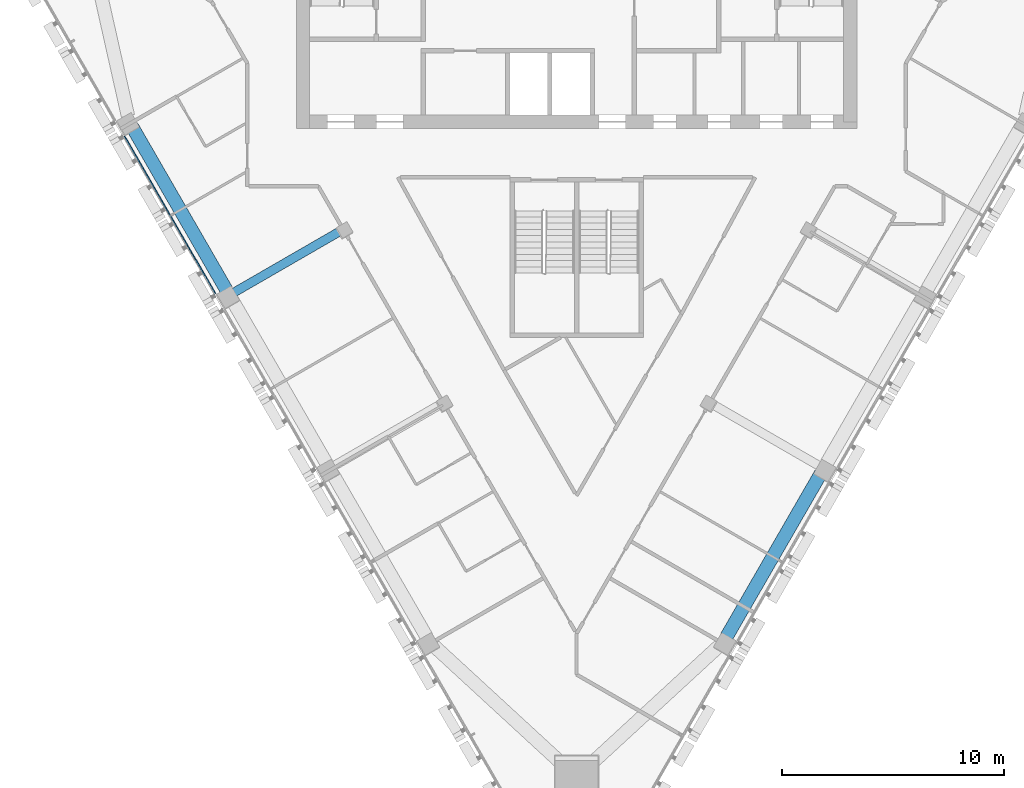
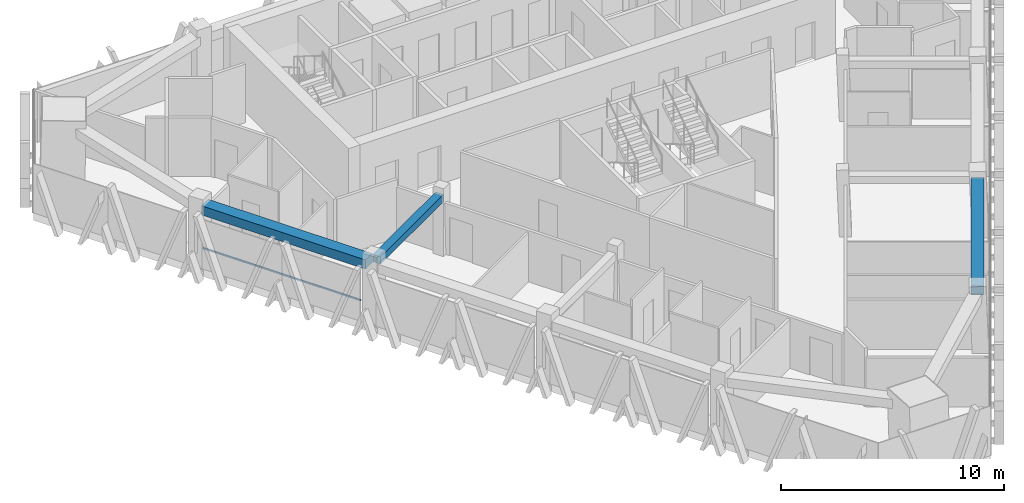
# One storey, part 3 of 14: 3 beams, 1 member, 1 element without a shape of its own.
"""IFC4 building model written with IfcOpenShell, lengths in metres."""

from ifc_helpers import new_model, si_unit, direction, frame, origin, origin_2d, place, context, subcontext, project, spatial, rectangle, extrude, material, layer, layer_set, material_profile, profile_set, type_object, element, aggregate, save


model = new_model("IFC4")

# Units and contexts
model_context = context("Model", 3, precision=1e-05, world=origin(), true_north=direction((0.0, 1.0)))
body_context = subcontext(model_context, "Body", "Model", "MODEL_VIEW")
ifc_project = project(units=[si_unit("LENGTHUNIT", "METRE"), si_unit("AREAUNIT", "SQUARE_METRE"), si_unit("VOLUMEUNIT", "CUBIC_METRE"), si_unit("PLANEANGLEUNIT", "RADIAN"), si_unit("MASSUNIT", "GRAM", prefix="KILO")], contexts=[model_context])

# Site, building, storey
site_placement = place(None, origin())
site = spatial("IfcSite", under=ifc_project, at=site_placement, CompositionType="ELEMENT")
building_placement = place(site_placement, origin())
building = spatial("IfcBuilding", under=site, at=building_placement, Name="Altiplano Prism Tower", CompositionType="ELEMENT")
storey_placement = place(building_placement, frame((0.0, 0.0, 223.0)))
storey = spatial("IfcBuildingStorey", under=building, at=storey_placement, Name="L57", CompositionType="ELEMENT", Elevation=223.0)

# Curtain wall, member
ifc_material_1 = material(Name="Aluminium and glass", Category="aluminium")
ifc_layer = layer(ifc_material_1, 0.280029296875)
ifc_layer_set = layer_set([ifc_layer], Name="Aluminium and glass")
curtain_wall_type = type_object("IfcCurtainWallType", Name="CW1 typical co-living unitised curtain wall", PredefinedType="NOTDEFINED", material=ifc_layer_set)
curtain_wall_placement = place(storey_placement, origin())
curtain_wall = element("IfcCurtainWall", 1, at=curtain_wall_placement, inside=storey, type_object=curtain_wall_type, Name="CW1 curtain wall south-west face L57", PredefinedType="NOTDEFINED")
ifc_material_2 = material(Name="Aluminium", Category="aluminium")
ifc_material_profile_1 = material_profile(ifc_material_2, rectangle(XDim=0.06005859375, YDim=0.080078125, at=origin_2d()), Name="CW1 transom 80 x 60")
ifc_profile_set_1 = profile_set([ifc_material_profile_1], Name="Aluminium")
member_type = type_object("IfcMemberType", Name="CW1 transom 80 x 60", PredefinedType="USERDEFINED", material=ifc_profile_set_1)
member_placement = place(storey_placement, frame((64.666748046875, 92.444091796875, 1.10009765625), z_axis=(0.500008722908, -0.866020367552, 0.0), x_axis=(0.866020367552, 0.500008722908, 0.0)))
member = element("IfcMember", 2, at=member_placement, type_object=member_type, Name="CW1 transom", ObjectType="TRANSOM", PredefinedType="USERDEFINED", context=body_context, shape_type="SweptSolid", body=[
    extrude(rectangle(XDim=0.06005859375, YDim=0.080078125, at=origin_2d()), origin(), (0.0, 0.0, 1.0), 8.169677734375),
])
aggregate(curtain_wall, [member])

# Beams
ifc_material_3 = material(Name="Concrete C60/75", Category="concrete")
ifc_material_profile_2 = material_profile(ifc_material_3, rectangle(XDim=0.60009765625, YDim=0.5, at=origin_2d()), Name="Edge beam 600x500")
ifc_profile_set_2 = profile_set([ifc_material_profile_2], Name="Concrete C60/75")
beam_type_1 = type_object("IfcBeamType", Name="Edge beam 600x500", PredefinedType="SPANDREL", material=ifc_profile_set_2)
for number, where, z_axis, x_axis, name in (
    (3, (65.015625, 92.877197265625, 2.949951171875), (0.500011199594, -0.866018937599, 0.0), (0.866018937599, 0.500011199594, 0.0), "Edge beam P11-P12 L58"),
    (4, (91.7392578125, 69.93603515625, 2.949951171875), (0.500011199594, 0.866018937599, 0.0), (-0.866018937599, 0.500011199594, 0.0), "Edge beam P21-P22 L58"),
):
    element("IfcBeam", number, at=place(storey_placement, frame(where, z_axis=z_axis, x_axis=x_axis)), inside=storey, type_object=beam_type_1, Name=name, PredefinedType="SPANDREL", context=body_context, shape_type="SweptSolid", body=[
        extrude(rectangle(XDim=0.60009765625, YDim=0.5, at=origin_2d()), origin(), (0.0, 0.0, 1.0), 8.489990234375),
    ])
ifc_material_profile_3 = material_profile(ifc_material_3, rectangle(XDim=0.39990234375, YDim=0.39990234375, at=origin_2d()), Name="Tie beam 400x400")
ifc_profile_set_3 = profile_set([ifc_material_profile_3], Name="Concrete C60/75")
beam_type_2 = type_object("IfcBeamType", Name="Tie beam 400x400", PredefinedType="BEAM", material=ifc_profile_set_3)
beam_placement = place(storey_placement, frame((74.493408203125, 88.251220703125, 3.0), z_axis=(-0.866026281646, -0.499998479497, 0.0), x_axis=(0.499998479497, -0.866026281646, 0.0)))
element("IfcBeam", 5, at=beam_placement, inside=storey, type_object=beam_type_2, Name="Tie beam I12 L58", PredefinedType="BEAM", context=body_context, shape_type="SweptSolid", body=[
    extrude(rectangle(XDim=0.39990234375, YDim=0.39990234375, at=origin_2d()), origin(), (0.0, 0.0, 1.0), 5.64013671875),
])

save(model, "model.ifc")
